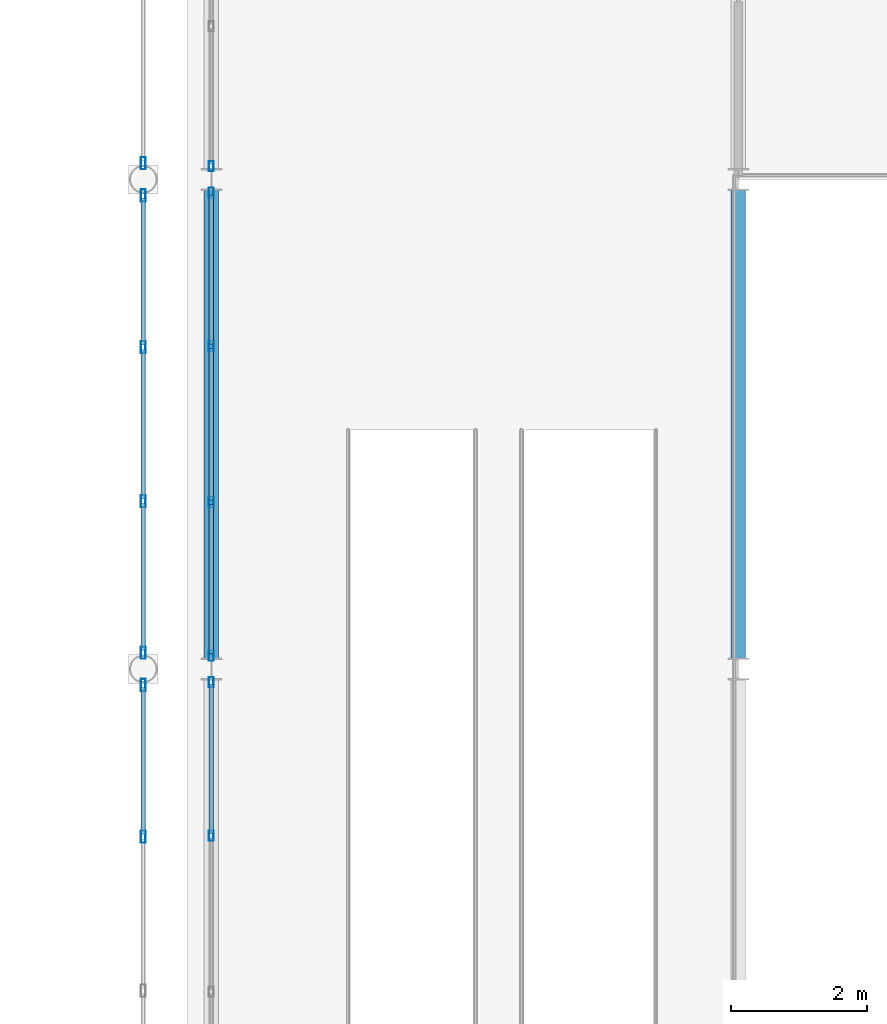
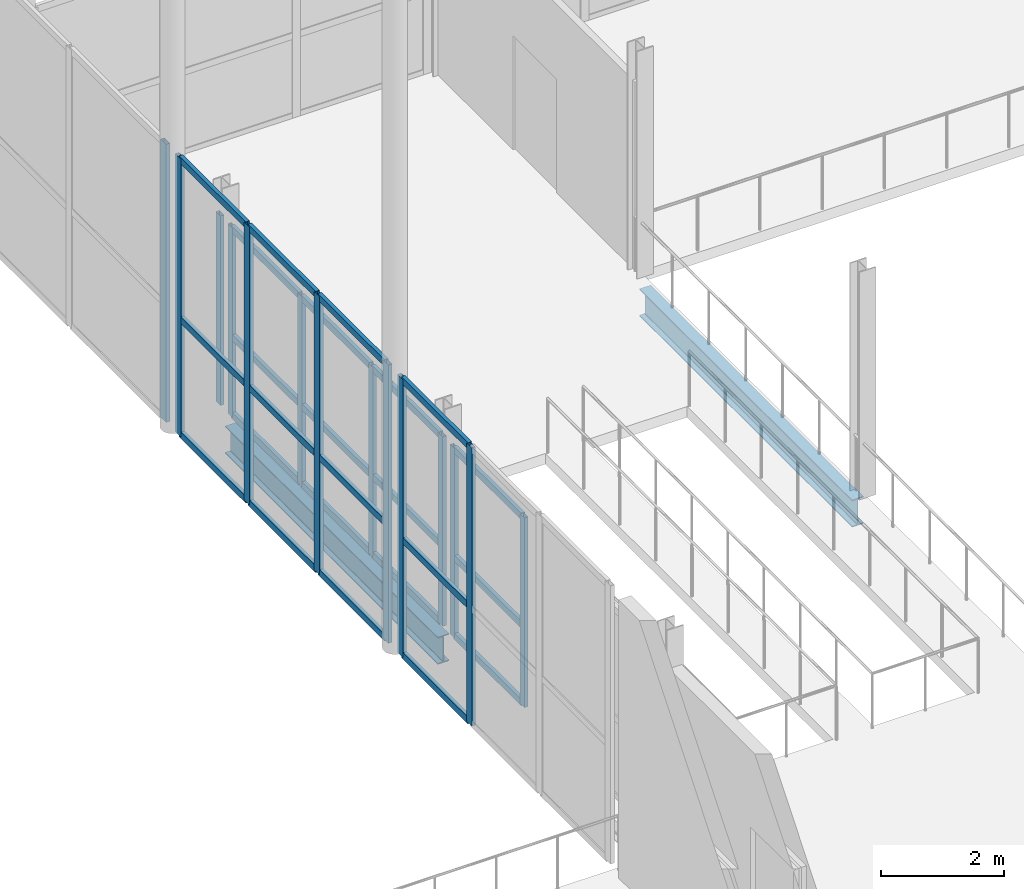
# One storey, part 46 of 77: 38 members, 2 beams, 6 elements without a shape of their own.
"""IFC4 building model written with IfcOpenShell, lengths in metres."""

from ifc_helpers import new_model, si_unit, direction, frame, origin, origin_2d, place, context, subcontext, project, spatial, hollow_rectangle, i_section, extrude, material, layer, layer_set, material_profile, profile_set, type_object, element, aggregate, save


model = new_model("IFC4")

# Units and contexts
model_context = context("Model", 3, precision=1e-05, world=origin(), true_north=direction((0.0, 1.0)))
body_context = subcontext(model_context, "Body", "Model", "MODEL_VIEW")
ifc_project = project(units=[si_unit("LENGTHUNIT", "METRE"), si_unit("AREAUNIT", "SQUARE_METRE"), si_unit("VOLUMEUNIT", "CUBIC_METRE"), si_unit("PLANEANGLEUNIT", "RADIAN"), si_unit("MASSUNIT", "GRAM", prefix="KILO")], contexts=[model_context])

# Site, building, storey
site_placement = place(None, origin())
site = spatial("IfcSite", under=ifc_project, at=site_placement, CompositionType="ELEMENT")
building_placement = place(site_placement, origin())
building = spatial("IfcBuilding", under=site, at=building_placement, Name="Quillay Park Conservatory", CompositionType="ELEMENT")
storey_placement = place(building_placement, frame((0.0, 0.0, 5.39990234375)))
storey = spatial("IfcBuildingStorey", under=building, at=storey_placement, Name="L01", CompositionType="ELEMENT", Elevation=5.39990234375)

# Curtain wall, members
ifc_material_1 = material(Name="Thermally Broken Anodised Aluminium 6063-T6", Category="aluminium")
ifc_layer_1 = layer(ifc_material_1, 0.1650390625)
ifc_layer_set_1 = layer_set([ifc_layer_1], Name="UNITISED CURTAIN WALL PODIUM (Thermally Broken Anodised Aluminium 6063-T6)")
curtain_wall_type_1 = type_object("IfcCurtainWallType", Name="UNITISED CURTAIN WALL PODIUM", PredefinedType="USERDEFINED", material=ifc_layer_set_1)
curtain_wall_1_placement = place(storey_placement, origin())
curtain_wall_1 = element("IfcCurtainWall", 1, at=curtain_wall_1_placement, inside=storey, type_object=curtain_wall_type_1, Name="L01 Unitised Curtain Wall 224", ObjectType="UNITISED CURTAIN WALL", PredefinedType="USERDEFINED")
ifc_material_2 = material(Name="Thermally Broken Anodised Aluminium 6063-T6", Category="aluminium")
ifc_material_profile_1 = material_profile(ifc_material_2, hollow_rectangle(XDim=0.070068359375, YDim=0.14990234375, WallThickness=0.00341796875, at=origin_2d()), Name="AL70x150x3.5")
ifc_profile_set_1 = profile_set([ifc_material_profile_1], Name="Thermally Broken Anodised Aluminium 6063-T6")
member_type_1 = type_object("IfcMemberType", Name="CURTAIN WALL MULLION 70 X150", PredefinedType="MULLION", material=ifc_profile_set_1)
member_1_placement = place(storey_placement, frame((115.85009765625, 97.146728515625, 0.0), z_axis=(0.0, 0.0, 1.0), x_axis=(-1.0, 0.0, 0.0)))
member_1 = element("IfcMember", 2, at=member_1_placement, type_object=member_type_1, Name="CW-P1 mullion 3", PredefinedType="MULLION", context=body_context, shape_type="SweptSolid", body=[
    extrude(hollow_rectangle(XDim=0.070068359375, YDim=0.14990234375, WallThickness=0.00341796875, at=origin_2d()), origin(), (0.0, 0.0, 1.0), 3.7490234375),
])
member_2_placement = place(storey_placement, frame((115.85009765625, 99.405029296875, 0.0), z_axis=(0.0, 0.0, 1.0), x_axis=(-1.0, 0.0, 0.0)))
member_2 = element("IfcMember", 3, at=member_2_placement, type_object=member_type_1, Name="CW-P1 mullion 4", PredefinedType="MULLION", context=body_context, shape_type="SweptSolid", body=[
    extrude(hollow_rectangle(XDim=0.070068359375, YDim=0.14990234375, WallThickness=0.00341796875, at=origin_2d()), origin(), (0.0, 0.0, 1.0), 3.7490234375),
])

curtain_wall_2_placement = place(storey_placement, origin())
curtain_wall_2 = element("IfcCurtainWall", 4, at=curtain_wall_2_placement, inside=storey, type_object=curtain_wall_type_1, Name="L01 Unitised Curtain Wall 226", ObjectType="UNITISED CURTAIN WALL", PredefinedType="USERDEFINED")
member_3_placement = place(storey_placement, frame((115.85009765625, 99.794921875, 0.0), z_axis=(0.0, 0.0, 1.0), x_axis=(-1.0, 0.0, 0.0)))
member_3 = element("IfcMember", 5, at=member_3_placement, type_object=member_type_1, Name="CW-P1 mullion 1", PredefinedType="MULLION", context=body_context, shape_type="SweptSolid", body=[
    extrude(hollow_rectangle(XDim=0.070068359375, YDim=0.14990234375, WallThickness=0.00341796875, at=origin_2d()), origin(), (0.0, 0.0, 1.0), 3.7490234375),
])
member_4_placement = place(storey_placement, frame((115.85009765625, 102.05322265625, 0.0), z_axis=(0.0, 0.0, 1.0), x_axis=(-1.0, 0.0, 0.0)))
member_4 = element("IfcMember", 6, at=member_4_placement, type_object=member_type_1, Name="CW-P1 mullion 2", PredefinedType="MULLION", context=body_context, shape_type="SweptSolid", body=[
    extrude(hollow_rectangle(XDim=0.070068359375, YDim=0.14990234375, WallThickness=0.00341796875, at=origin_2d()), origin(), (0.0, 0.0, 1.0), 3.7490234375),
])
member_5_placement = place(storey_placement, frame((115.85009765625, 104.3466796875, 0.0), z_axis=(0.0, 0.0, 1.0), x_axis=(-1.0, 0.0, 0.0)))
member_5 = element("IfcMember", 7, at=member_5_placement, type_object=member_type_1, Name="CW-P1 mullion 3", PredefinedType="MULLION", context=body_context, shape_type="SweptSolid", body=[
    extrude(hollow_rectangle(XDim=0.070068359375, YDim=0.14990234375, WallThickness=0.00341796875, at=origin_2d()), origin(), (0.0, 0.0, 1.0), 3.7490234375),
])
member_6_placement = place(storey_placement, frame((115.85009765625, 106.60498046875, 0.0), z_axis=(0.0, 0.0, 1.0), x_axis=(-1.0, 0.0, 0.0)))
member_6 = element("IfcMember", 8, at=member_6_placement, type_object=member_type_1, Name="CW-P1 mullion 4", PredefinedType="MULLION", context=body_context, shape_type="SweptSolid", body=[
    extrude(hollow_rectangle(XDim=0.070068359375, YDim=0.14990234375, WallThickness=0.00341796875, at=origin_2d()), origin(), (0.0, 0.0, 1.0), 3.7490234375),
])

# Curtain wall, member
curtain_wall_3_placement = place(storey_placement, origin())
curtain_wall_3 = element("IfcCurtainWall", 9, at=curtain_wall_3_placement, inside=storey, type_object=curtain_wall_type_1, Name="L01 Unitised Curtain Wall 228", ObjectType="UNITISED CURTAIN WALL", PredefinedType="USERDEFINED")
member_7_placement = place(storey_placement, frame((115.85009765625, 106.9951171875, 0.0), z_axis=(0.0, 0.0, 1.0), x_axis=(-1.0, 0.0, 0.0)))
member_7 = element("IfcMember", 10, at=member_7_placement, type_object=member_type_1, Name="CW-P1 mullion 1", PredefinedType="MULLION", context=body_context, shape_type="SweptSolid", body=[
    extrude(hollow_rectangle(XDim=0.070068359375, YDim=0.14990234375, WallThickness=0.00341796875, at=origin_2d()), origin(), (0.0, 0.0, 1.0), 3.7490234375),
])
aggregate(curtain_wall_3, [member_7])

# Curtain wall, members
ifc_material_3 = material(Name="Thermally Broken Anodised Aluminium 6063-T6", Category="aluminium")
ifc_layer_2 = layer(ifc_material_3, 0.219970703125)
ifc_layer_set_2 = layer_set([ifc_layer_2], Name="UNITISED CURTAIN WALL CONSERVATORY (Thermally Broken Anodised Aluminium 6063-T6)")
curtain_wall_type_2 = type_object("IfcCurtainWallType", Name="UNITISED CURTAIN WALL CONSERVATORY", PredefinedType="USERDEFINED", material=ifc_layer_set_2)
curtain_wall_4_placement = place(storey_placement, origin())
curtain_wall_4 = element("IfcCurtainWall", 11, at=curtain_wall_4_placement, inside=storey, type_object=curtain_wall_type_2, Name="L01 Unitised Curtain Wall 166", ObjectType="UNITISED CURTAIN WALL", PredefinedType="USERDEFINED")
ifc_material_4 = material(Name="Thermally Broken Anodised Aluminium 6063-T6", Category="aluminium")
ifc_material_profile_2 = material_profile(ifc_material_4, hollow_rectangle(XDim=0.070068359375, YDim=0.179931640625, WallThickness=0.00390625, at=origin_2d()), Name="AL70x180x4")
ifc_profile_set_2 = profile_set([ifc_material_profile_2], Name="Thermally Broken Anodised Aluminium 6063-T6")
member_type_2 = type_object("IfcMemberType", Name="CURTAIN WALL MULLION 70 X180", PredefinedType="MULLION", material=ifc_profile_set_2)
member_8_placement = place(storey_placement, frame((114.85009765625, 99.363037109375, 0.0), z_axis=(0.0, 0.0, 1.0), x_axis=(1.0, 0.0, 0.0)))
member_8 = element("IfcMember", 12, at=member_8_placement, type_object=member_type_2, Name="CW-C1 mullion 1", PredefinedType="MULLION", context=body_context, shape_type="SweptSolid", body=[
    extrude(hollow_rectangle(XDim=0.070068359375, YDim=0.179931640625, WallThickness=0.00390625, at=origin_2d()), origin(), (0.0, 0.0, 1.0), 5.5),
])
member_9_placement = place(storey_placement, frame((114.85009765625, 97.132568359375, 0.0), z_axis=(0.0, 0.0, 1.0), x_axis=(1.0, 0.0, 0.0)))
member_9 = element("IfcMember", 13, at=member_9_placement, type_object=member_type_2, Name="CW-C1 mullion 2", PredefinedType="MULLION", context=body_context, shape_type="SweptSolid", body=[
    extrude(hollow_rectangle(XDim=0.070068359375, YDim=0.179931640625, WallThickness=0.00390625, at=origin_2d()), origin(), (0.0, 0.0, 1.0), 5.5),
])

curtain_wall_5_placement = place(storey_placement, origin())
curtain_wall_5 = element("IfcCurtainWall", 14, at=curtain_wall_5_placement, inside=storey, type_object=curtain_wall_type_2, Name="L01 Unitised Curtain Wall 170", ObjectType="UNITISED CURTAIN WALL", PredefinedType="USERDEFINED")
member_10_placement = place(storey_placement, frame((114.85009765625, 106.56298828125, 0.0), z_axis=(0.0, 0.0, 1.0), x_axis=(1.0, 0.0, 0.0)))
member_10 = element("IfcMember", 15, at=member_10_placement, type_object=member_type_2, Name="CW-C1 mullion 1", PredefinedType="MULLION", context=body_context, shape_type="SweptSolid", body=[
    extrude(hollow_rectangle(XDim=0.070068359375, YDim=0.179931640625, WallThickness=0.00390625, at=origin_2d()), origin(), (0.0, 0.0, 1.0), 5.5),
])
member_11_placement = place(storey_placement, frame((114.85009765625, 104.332763671875, 0.0), z_axis=(0.0, 0.0, 1.0), x_axis=(1.0, 0.0, 0.0)))
member_11 = element("IfcMember", 16, at=member_11_placement, type_object=member_type_2, Name="CW-C1 mullion 2", PredefinedType="MULLION", context=body_context, shape_type="SweptSolid", body=[
    extrude(hollow_rectangle(XDim=0.070068359375, YDim=0.179931640625, WallThickness=0.00390625, at=origin_2d()), origin(), (0.0, 0.0, 1.0), 5.5),
])
member_12_placement = place(storey_placement, frame((114.85009765625, 102.0673828125, 0.0), z_axis=(0.0, 0.0, 1.0), x_axis=(1.0, 0.0, 0.0)))
member_12 = element("IfcMember", 17, at=member_12_placement, type_object=member_type_2, Name="CW-C1 mullion 3", PredefinedType="MULLION", context=body_context, shape_type="SweptSolid", body=[
    extrude(hollow_rectangle(XDim=0.070068359375, YDim=0.179931640625, WallThickness=0.00390625, at=origin_2d()), origin(), (0.0, 0.0, 1.0), 5.5),
])
member_13_placement = place(storey_placement, frame((114.85009765625, 99.8369140625, 0.0), z_axis=(0.0, 0.0, 1.0), x_axis=(1.0, 0.0, 0.0)))
member_13 = element("IfcMember", 18, at=member_13_placement, type_object=member_type_2, Name="CW-C1 mullion 4", PredefinedType="MULLION", context=body_context, shape_type="SweptSolid", body=[
    extrude(hollow_rectangle(XDim=0.070068359375, YDim=0.179931640625, WallThickness=0.00390625, at=origin_2d()), origin(), (0.0, 0.0, 1.0), 5.5),
])

# Curtain wall, member
curtain_wall_6_placement = place(storey_placement, origin())
curtain_wall_6 = element("IfcCurtainWall", 19, at=curtain_wall_6_placement, inside=storey, type_object=curtain_wall_type_2, Name="L01 Unitised Curtain Wall 174", ObjectType="UNITISED CURTAIN WALL", PredefinedType="USERDEFINED")
member_14_placement = place(storey_placement, frame((114.85009765625, 107.037109375, 0.0), z_axis=(0.0, 0.0, 1.0), x_axis=(1.0, 0.0, 0.0)))
member_14 = element("IfcMember", 20, at=member_14_placement, type_object=member_type_2, Name="CW-C1 mullion 3", PredefinedType="MULLION", context=body_context, shape_type="SweptSolid", body=[
    extrude(hollow_rectangle(XDim=0.070068359375, YDim=0.179931640625, WallThickness=0.00390625, at=origin_2d()), origin(), (0.0, 0.0, 1.0), 5.5),
])
aggregate(curtain_wall_6, [member_14])

# Member
ifc_material_5 = material(Name="Thermally Broken Anodised Aluminium 6063-T6", Category="aluminium")
ifc_material_profile_3 = material_profile(ifc_material_5, hollow_rectangle(XDim=0.070068359375, YDim=0.1298828125, WallThickness=0.003173828125, at=origin_2d()), Name="AL70x130x3.2")
ifc_profile_set_3 = profile_set([ifc_material_profile_3], Name="Thermally Broken Anodised Aluminium 6063-T6")
member_type_3 = type_object("IfcMemberType", Name="CURTAIN WALL TRANSOM 70 X130", PredefinedType="USERDEFINED", material=ifc_profile_set_3)
member_15_placement = place(storey_placement, frame((114.85009765625, 99.327880859375, 0.03515625), z_axis=(0.0, -1.0, 0.0), x_axis=(1.0, 0.0, 0.0)))
member_15 = element("IfcMember", 21, at=member_15_placement, type_object=member_type_3, Name="CW-C1 transom 1.1", ObjectType="TRANSOM", PredefinedType="USERDEFINED", context=body_context, shape_type="SweptSolid", body=[
    extrude(hollow_rectangle(XDim=0.070068359375, YDim=0.1298828125, WallThickness=0.003173828125, at=origin_2d()), origin(), (0.0, 0.0, 1.0), 2.16015625),
])

member_16_placement = place(storey_placement, frame((114.85009765625, 99.327880859375, 2.31005859375), z_axis=(0.0, -1.0, 0.0), x_axis=(1.0, 0.0, 0.0)))
member_16 = element("IfcMember", 22, at=member_16_placement, type_object=member_type_3, Name="CW-C1 transom 1.2", ObjectType="TRANSOM", PredefinedType="USERDEFINED", context=body_context, shape_type="SweptSolid", body=[
    extrude(hollow_rectangle(XDim=0.070068359375, YDim=0.1298828125, WallThickness=0.003173828125, at=origin_2d()), origin(), (0.0, 0.0, 1.0), 2.16015625),
])

member_17_placement = place(storey_placement, frame((114.85009765625, 99.327880859375, 5.465087890625), z_axis=(0.0, -1.0, 0.0), x_axis=(1.0, 0.0, 0.0)))
member_17 = element("IfcMember", 23, at=member_17_placement, type_object=member_type_3, Name="CW-C1 transom 1.3", ObjectType="TRANSOM", PredefinedType="USERDEFINED", context=body_context, shape_type="SweptSolid", body=[
    extrude(hollow_rectangle(XDim=0.070068359375, YDim=0.1298828125, WallThickness=0.003173828125, at=origin_2d()), origin(), (0.0, 0.0, 1.0), 2.16015625),
])

aggregate(curtain_wall_4, [member_8, member_9, member_15, member_16, member_17])

member_18_placement = place(storey_placement, frame((114.85009765625, 106.528076171875, 0.03515625), z_axis=(0.0, -1.0, 0.0), x_axis=(1.0, 0.0, 0.0)))
member_18 = element("IfcMember", 24, at=member_18_placement, type_object=member_type_3, Name="CW-C1 transom 1.1", ObjectType="TRANSOM", PredefinedType="USERDEFINED", context=body_context, shape_type="SweptSolid", body=[
    extrude(hollow_rectangle(XDim=0.070068359375, YDim=0.1298828125, WallThickness=0.003173828125, at=origin_2d()), origin(), (0.0, 0.0, 1.0), 2.160400390625),
])

member_19_placement = place(storey_placement, frame((114.85009765625, 106.528076171875, 2.31005859375), z_axis=(0.0, -1.0, 0.0), x_axis=(1.0, 0.0, 0.0)))
member_19 = element("IfcMember", 25, at=member_19_placement, type_object=member_type_3, Name="CW-C1 transom 1.2", ObjectType="TRANSOM", PredefinedType="USERDEFINED", context=body_context, shape_type="SweptSolid", body=[
    extrude(hollow_rectangle(XDim=0.070068359375, YDim=0.1298828125, WallThickness=0.003173828125, at=origin_2d()), origin(), (0.0, 0.0, 1.0), 2.160400390625),
])

member_20_placement = place(storey_placement, frame((114.85009765625, 106.528076171875, 5.465087890625), z_axis=(0.0, -1.0, 0.0), x_axis=(1.0, 0.0, 0.0)))
member_20 = element("IfcMember", 26, at=member_20_placement, type_object=member_type_3, Name="CW-C1 transom 1.3", ObjectType="TRANSOM", PredefinedType="USERDEFINED", context=body_context, shape_type="SweptSolid", body=[
    extrude(hollow_rectangle(XDim=0.070068359375, YDim=0.1298828125, WallThickness=0.003173828125, at=origin_2d()), origin(), (0.0, 0.0, 1.0), 2.160400390625),
])

member_21_placement = place(storey_placement, frame((114.85009765625, 104.297607421875, 0.03515625), z_axis=(0.0, -1.0, 0.0), x_axis=(1.0, 0.0, 0.0)))
member_21 = element("IfcMember", 27, at=member_21_placement, type_object=member_type_3, Name="CW-C1 transom 2.1", ObjectType="TRANSOM", PredefinedType="USERDEFINED", context=body_context, shape_type="SweptSolid", body=[
    extrude(hollow_rectangle(XDim=0.070068359375, YDim=0.1298828125, WallThickness=0.003173828125, at=origin_2d()), origin(), (0.0, 0.0, 1.0), 2.1953125),
])

member_22_placement = place(storey_placement, frame((114.85009765625, 104.297607421875, 2.31005859375), z_axis=(0.0, -1.0, 0.0), x_axis=(1.0, 0.0, 0.0)))
member_22 = element("IfcMember", 28, at=member_22_placement, type_object=member_type_3, Name="CW-C1 transom 2.2", ObjectType="TRANSOM", PredefinedType="USERDEFINED", context=body_context, shape_type="SweptSolid", body=[
    extrude(hollow_rectangle(XDim=0.070068359375, YDim=0.1298828125, WallThickness=0.003173828125, at=origin_2d()), origin(), (0.0, 0.0, 1.0), 2.1953125),
])

member_23_placement = place(storey_placement, frame((114.85009765625, 104.297607421875, 5.465087890625), z_axis=(0.0, -1.0, 0.0), x_axis=(1.0, 0.0, 0.0)))
member_23 = element("IfcMember", 29, at=member_23_placement, type_object=member_type_3, Name="CW-C1 transom 2.3", ObjectType="TRANSOM", PredefinedType="USERDEFINED", context=body_context, shape_type="SweptSolid", body=[
    extrude(hollow_rectangle(XDim=0.070068359375, YDim=0.1298828125, WallThickness=0.003173828125, at=origin_2d()), origin(), (0.0, 0.0, 1.0), 2.1953125),
])

member_24_placement = place(storey_placement, frame((114.85009765625, 102.0322265625, 0.03515625), z_axis=(0.0, -1.0, 0.0), x_axis=(1.0, 0.0, 0.0)))
member_24 = element("IfcMember", 30, at=member_24_placement, type_object=member_type_3, Name="CW-C1 transom 3.1", ObjectType="TRANSOM", PredefinedType="USERDEFINED", context=body_context, shape_type="SweptSolid", body=[
    extrude(hollow_rectangle(XDim=0.070068359375, YDim=0.1298828125, WallThickness=0.003173828125, at=origin_2d()), origin(), (0.0, 0.0, 1.0), 2.16015625),
])

member_25_placement = place(storey_placement, frame((114.85009765625, 102.0322265625, 2.31005859375), z_axis=(0.0, -1.0, 0.0), x_axis=(1.0, 0.0, 0.0)))
member_25 = element("IfcMember", 31, at=member_25_placement, type_object=member_type_3, Name="CW-C1 transom 3.2", ObjectType="TRANSOM", PredefinedType="USERDEFINED", context=body_context, shape_type="SweptSolid", body=[
    extrude(hollow_rectangle(XDim=0.070068359375, YDim=0.1298828125, WallThickness=0.003173828125, at=origin_2d()), origin(), (0.0, 0.0, 1.0), 2.16015625),
])

member_26_placement = place(storey_placement, frame((114.85009765625, 102.0322265625, 5.465087890625), z_axis=(0.0, -1.0, 0.0), x_axis=(1.0, 0.0, 0.0)))
member_26 = element("IfcMember", 32, at=member_26_placement, type_object=member_type_3, Name="CW-C1 transom 3.3", ObjectType="TRANSOM", PredefinedType="USERDEFINED", context=body_context, shape_type="SweptSolid", body=[
    extrude(hollow_rectangle(XDim=0.070068359375, YDim=0.1298828125, WallThickness=0.003173828125, at=origin_2d()), origin(), (0.0, 0.0, 1.0), 2.16015625),
])

aggregate(curtain_wall_5, [member_10, member_11, member_12, member_13, member_18, member_19, member_20, member_21, member_22, member_23, member_24, member_25, member_26])

member_27_placement = place(storey_placement, frame((115.85009765625, 97.181640625, 0.03515625), z_axis=(0.0, 1.0, 0.0), x_axis=(-1.0, 0.0, 0.0)))
member_27 = element("IfcMember", 33, at=member_27_placement, type_object=member_type_3, Name="CW-P1 transom 3.1", ObjectType="TRANSOM", PredefinedType="USERDEFINED", context=body_context, shape_type="SweptSolid", body=[
    extrude(hollow_rectangle(XDim=0.070068359375, YDim=0.1298828125, WallThickness=0.003173828125, at=origin_2d()), origin(), (0.0, 0.0, 1.0), 2.1884765625),
])

member_28_placement = place(storey_placement, frame((115.85009765625, 97.181640625, 1.57470703125), z_axis=(0.0, 1.0, 0.0), x_axis=(-1.0, 0.0, 0.0)))
member_28 = element("IfcMember", 34, at=member_28_placement, type_object=member_type_3, Name="CW-P1 transom 3.2", ObjectType="TRANSOM", PredefinedType="USERDEFINED", context=body_context, shape_type="SweptSolid", body=[
    extrude(hollow_rectangle(XDim=0.070068359375, YDim=0.1298828125, WallThickness=0.003173828125, at=origin_2d()), origin(), (0.0, 0.0, 1.0), 2.1884765625),
])

member_29_placement = place(storey_placement, frame((115.85009765625, 97.181640625, 3.714111328125), z_axis=(0.0, 1.0, 0.0), x_axis=(-1.0, 0.0, 0.0)))
member_29 = element("IfcMember", 35, at=member_29_placement, type_object=member_type_3, Name="CW-P1 transom 3.3", ObjectType="TRANSOM", PredefinedType="USERDEFINED", context=body_context, shape_type="SweptSolid", body=[
    extrude(hollow_rectangle(XDim=0.070068359375, YDim=0.1298828125, WallThickness=0.003173828125, at=origin_2d()), origin(), (0.0, 0.0, 1.0), 2.1884765625),
])

aggregate(curtain_wall_1, [member_1, member_2, member_27, member_28, member_29])

member_30_placement = place(storey_placement, frame((115.85009765625, 99.830078125, 0.03515625), z_axis=(0.0, 1.0, 0.0), x_axis=(-1.0, 0.0, 0.0)))
member_30 = element("IfcMember", 36, at=member_30_placement, type_object=member_type_3, Name="CW-P1 transom 1.1", ObjectType="TRANSOM", PredefinedType="USERDEFINED", context=body_context, shape_type="SweptSolid", body=[
    extrude(hollow_rectangle(XDim=0.070068359375, YDim=0.1298828125, WallThickness=0.003173828125, at=origin_2d()), origin(), (0.0, 0.0, 1.0), 2.188232421875),
])

member_31_placement = place(storey_placement, frame((115.85009765625, 99.830078125, 1.57470703125), z_axis=(0.0, 1.0, 0.0), x_axis=(-1.0, 0.0, 0.0)))
member_31 = element("IfcMember", 37, at=member_31_placement, type_object=member_type_3, Name="CW-P1 transom 1.2", ObjectType="TRANSOM", PredefinedType="USERDEFINED", context=body_context, shape_type="SweptSolid", body=[
    extrude(hollow_rectangle(XDim=0.070068359375, YDim=0.1298828125, WallThickness=0.003173828125, at=origin_2d()), origin(), (0.0, 0.0, 1.0), 2.188232421875),
])

member_32_placement = place(storey_placement, frame((115.85009765625, 99.830078125, 3.714111328125), z_axis=(0.0, 1.0, 0.0), x_axis=(-1.0, 0.0, 0.0)))
member_32 = element("IfcMember", 38, at=member_32_placement, type_object=member_type_3, Name="CW-P1 transom 1.3", ObjectType="TRANSOM", PredefinedType="USERDEFINED", context=body_context, shape_type="SweptSolid", body=[
    extrude(hollow_rectangle(XDim=0.070068359375, YDim=0.1298828125, WallThickness=0.003173828125, at=origin_2d()), origin(), (0.0, 0.0, 1.0), 2.188232421875),
])

member_33_placement = place(storey_placement, frame((115.85009765625, 102.08837890625, 0.03515625), z_axis=(0.0, 1.0, 0.0), x_axis=(-1.0, 0.0, 0.0)))
member_33 = element("IfcMember", 39, at=member_33_placement, type_object=member_type_3, Name="CW-P1 transom 2.1", ObjectType="TRANSOM", PredefinedType="USERDEFINED", context=body_context, shape_type="SweptSolid", body=[
    extrude(hollow_rectangle(XDim=0.070068359375, YDim=0.1298828125, WallThickness=0.003173828125, at=origin_2d()), origin(), (0.0, 0.0, 1.0), 2.223388671875),
])

member_34_placement = place(storey_placement, frame((115.85009765625, 102.08837890625, 1.57470703125), z_axis=(0.0, 1.0, 0.0), x_axis=(-1.0, 0.0, 0.0)))
member_34 = element("IfcMember", 40, at=member_34_placement, type_object=member_type_3, Name="CW-P1 transom 2.2", ObjectType="TRANSOM", PredefinedType="USERDEFINED", context=body_context, shape_type="SweptSolid", body=[
    extrude(hollow_rectangle(XDim=0.070068359375, YDim=0.1298828125, WallThickness=0.003173828125, at=origin_2d()), origin(), (0.0, 0.0, 1.0), 2.223388671875),
])

member_35_placement = place(storey_placement, frame((115.85009765625, 102.08837890625, 3.714111328125), z_axis=(0.0, 1.0, 0.0), x_axis=(-1.0, 0.0, 0.0)))
member_35 = element("IfcMember", 41, at=member_35_placement, type_object=member_type_3, Name="CW-P1 transom 2.3", ObjectType="TRANSOM", PredefinedType="USERDEFINED", context=body_context, shape_type="SweptSolid", body=[
    extrude(hollow_rectangle(XDim=0.070068359375, YDim=0.1298828125, WallThickness=0.003173828125, at=origin_2d()), origin(), (0.0, 0.0, 1.0), 2.223388671875),
])

member_36_placement = place(storey_placement, frame((115.85009765625, 104.381591796875, 0.03515625), z_axis=(0.0, 1.0, 0.0), x_axis=(-1.0, 0.0, 0.0)))
member_36 = element("IfcMember", 42, at=member_36_placement, type_object=member_type_3, Name="CW-P1 transom 3.1", ObjectType="TRANSOM", PredefinedType="USERDEFINED", context=body_context, shape_type="SweptSolid", body=[
    extrude(hollow_rectangle(XDim=0.070068359375, YDim=0.1298828125, WallThickness=0.003173828125, at=origin_2d()), origin(), (0.0, 0.0, 1.0), 2.1884765625),
])

member_37_placement = place(storey_placement, frame((115.85009765625, 104.381591796875, 1.57470703125), z_axis=(0.0, 1.0, 0.0), x_axis=(-1.0, 0.0, 0.0)))
member_37 = element("IfcMember", 43, at=member_37_placement, type_object=member_type_3, Name="CW-P1 transom 3.2", ObjectType="TRANSOM", PredefinedType="USERDEFINED", context=body_context, shape_type="SweptSolid", body=[
    extrude(hollow_rectangle(XDim=0.070068359375, YDim=0.1298828125, WallThickness=0.003173828125, at=origin_2d()), origin(), (0.0, 0.0, 1.0), 2.1884765625),
])

member_38_placement = place(storey_placement, frame((115.85009765625, 104.381591796875, 3.714111328125), z_axis=(0.0, 1.0, 0.0), x_axis=(-1.0, 0.0, 0.0)))
member_38 = element("IfcMember", 44, at=member_38_placement, type_object=member_type_3, Name="CW-P1 transom 3.3", ObjectType="TRANSOM", PredefinedType="USERDEFINED", context=body_context, shape_type="SweptSolid", body=[
    extrude(hollow_rectangle(XDim=0.070068359375, YDim=0.1298828125, WallThickness=0.003173828125, at=origin_2d()), origin(), (0.0, 0.0, 1.0), 2.1884765625),
])

aggregate(curtain_wall_2, [member_3, member_4, member_5, member_6, member_30, member_31, member_32, member_33, member_34, member_35, member_36, member_37, member_38])

# Beams
ifc_material_6 = material(Name="Steel ASTM A992 Grade 50", Category="steel")
ifc_material_profile_4 = material_profile(ifc_material_6, i_section(OverallWidth=0.2109375, OverallDepth=0.5390625, WebThickness=0.01171875, FlangeThickness=0.018798828125, FilletRadius=0.013916015625, at=origin_2d()), Name="W530x109")
ifc_profile_set_4 = profile_set([ifc_material_profile_4], Name="Steel ASTM A992 Grade 50")
beam_type = type_object("IfcBeamType", Name="PRIMARY FLOOR GIRDER W530 X109", PredefinedType="BEAM", material=ifc_profile_set_4)
for number, where, z_axis, x_axis, name in (
    (45, (115.85009765625, 99.7548828125, -0.4794921875), (0.0, 1.0, 0.0), (-1.0, 0.0, 0.0), "L01 beam BM-V2Y-1713"),
    (46, (123.60009765625, 99.7548828125, -0.4794921875), (0.0, 1.0, 0.0), (-1.0, 0.0, 0.0), "L01 beam BM-V2Y-1717"),
):
    element("IfcBeam", number, at=place(storey_placement, frame(where, z_axis=z_axis, x_axis=x_axis)), inside=storey, type_object=beam_type, Name=name, PredefinedType="BEAM", context=body_context, shape_type="SweptSolid", body=[
        extrude(i_section(OverallWidth=0.2109375, OverallDepth=0.5390625, WebThickness=0.01171875, FlangeThickness=0.018798828125, FilletRadius=0.013916015625, at=origin_2d()), origin(), (0.0, 0.0, 1.0), 6.89013671875),
    ])

save(model, "model.ifc")
